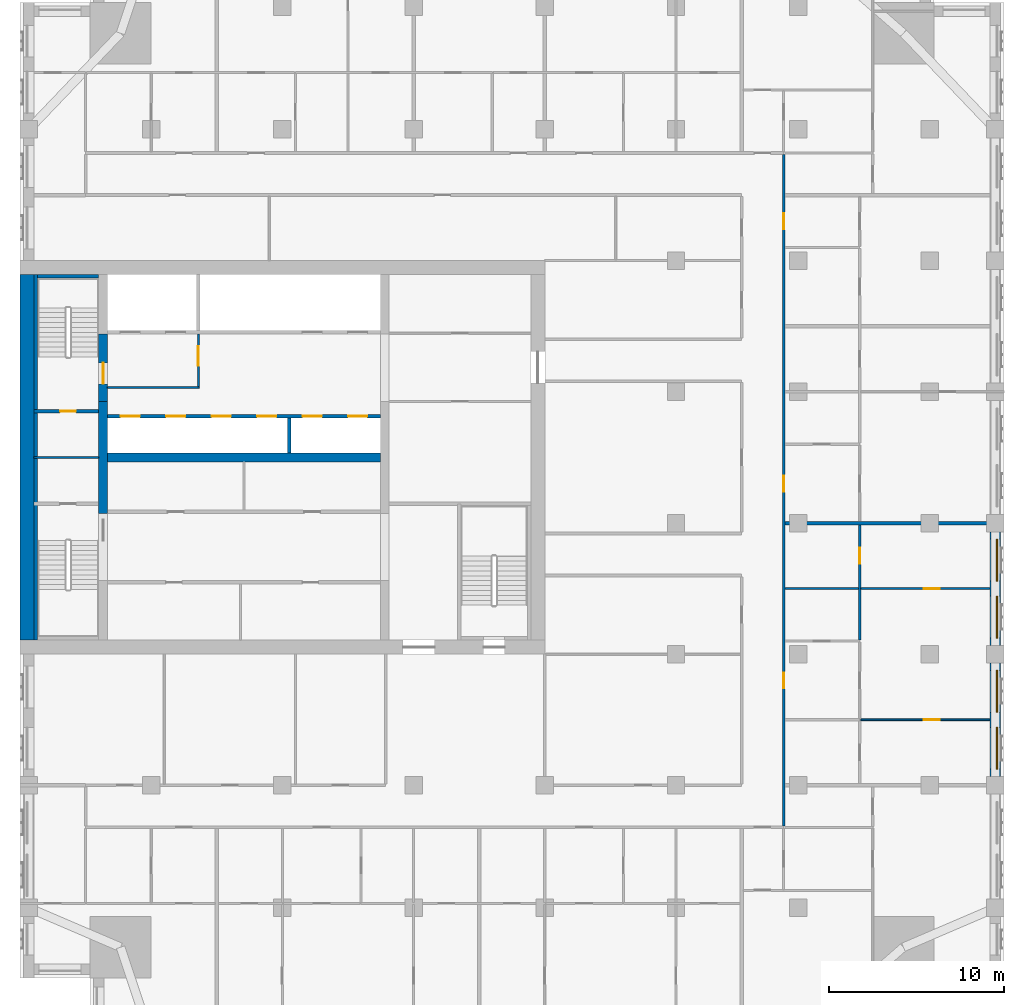
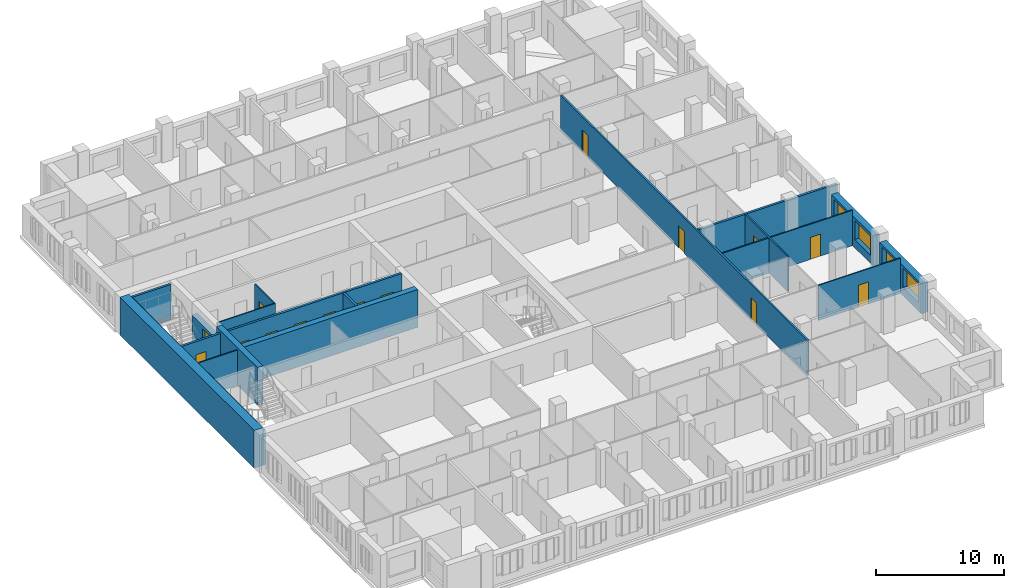
# One storey, part 7 of 13: 20 walls, 15 doors, 4 windows, 19 openings.
"""IFC4 building model written with IfcOpenShell, lengths in metres."""

from ifc_helpers import new_model, si_unit, direction, frame, frame_2d, origin, place, context, subcontext, project, spatial, rectangle, extrude, material, layer, layer_set, type_object, element, fill, save


model = new_model("IFC4")

# Units and contexts
model_context = context("Model", 3, precision=1e-05, world=origin(), true_north=direction((0.0, 1.0)))
body_context = subcontext(model_context, "Body", "Model", "MODEL_VIEW")
ifc_project = project(units=[si_unit("LENGTHUNIT", "METRE"), si_unit("AREAUNIT", "SQUARE_METRE"), si_unit("VOLUMEUNIT", "CUBIC_METRE"), si_unit("PLANEANGLEUNIT", "RADIAN"), si_unit("MASSUNIT", "GRAM", prefix="KILO")], contexts=[model_context])

# Site, building, storey
site_placement = place(None, origin())
site = spatial("IfcSite", under=ifc_project, at=site_placement, CompositionType="ELEMENT")
building_placement = place(site_placement, origin())
building = spatial("IfcBuilding", under=site, at=building_placement, Name="Tamorin Gate", CompositionType="ELEMENT")
storey_placement = place(building_placement, frame((0.0, 0.0, 159.0)))
storey = spatial("IfcBuildingStorey", under=building, at=storey_placement, Name="L39", CompositionType="ELEMENT", Elevation=159.0)

# Wall, openings, windows
ifc_material_1 = material(Name="Precast concrete C40/50", Category="concrete")
ifc_layer_1 = layer(ifc_material_1, 0.60009765625)
ifc_layer_set_1 = layer_set([ifc_layer_1], Name="Precast concrete C40/50")
wall_type_1 = type_object("IfcWallType", Name="Board-marked concrete facade panel 600", PredefinedType="SOLIDWALL", material=ifc_layer_set_1)
wall_1_placement = place(storey_placement, frame((85.75, 53.0, 0.0), z_axis=(0.0, 0.0, 1.0), x_axis=(0.0, 1.0, 0.0)))
wall_1 = element("IfcWall", 1, at=wall_1_placement, inside=storey, type_object=wall_type_1, Name="Facade panel", PredefinedType="SOLIDWALL", context=body_context, shape_type="SweptSolid", body=[
    extrude(rectangle(XDim=6.5, YDim=0.60009765625, at=frame_2d((3.25, 0.0))), origin(), (0.0, 0.0, 1.0), 2.85009765625),
])
opening_1_placement = place(wall_1_placement, frame((0.425048828125, 0.0, 0.800048828125)))
opening_1 = element("IfcOpeningElement", 2, at=opening_1_placement, cuts=wall_1, Name="Opening WN1", PredefinedType="OPENING", context=body_context, shape_type="SweptSolid", body=[
    extrude(rectangle(XDim=2.39990234375, YDim=1.800048828125, at=frame_2d((1.199951171875, 0.89990234375))), frame((0.0, 0.31005859375, 0.0), z_axis=(0.0, -1.0, 0.0), x_axis=(1.0, 0.0, 0.0)), (0.0, 0.0, 1.0), 0.6201171875),
])
opening_2_placement = place(wall_1_placement, frame((3.675048828125, 0.0, 0.800048828125)))
opening_2 = element("IfcOpeningElement", 3, at=opening_2_placement, cuts=wall_1, Name="Opening WN1", PredefinedType="OPENING", context=body_context, shape_type="SweptSolid", body=[
    extrude(rectangle(XDim=2.39990234375, YDim=1.800048828125, at=frame_2d((1.199951171875, 0.89990234375))), frame((0.0, 0.31005859375, 0.0), z_axis=(0.0, -1.0, 0.0), x_axis=(1.0, 0.0, 0.0)), (0.0, 0.0, 1.0), 0.6201171875),
])
ifc_material_2 = material(Name="Clear glass in aluminium frame", Category="aluminium")
window_type = type_object("IfcWindowType", Name="Deep-set window 2400x1800", PartitioningType="SINGLE_PANEL", PredefinedType="WINDOW", material=ifc_material_2)
window_1_placement = place(opening_1_placement, origin())
window_1 = element("IfcWindow", 4, at=window_1_placement, inside=storey, type_object=window_type, Name="Deep-set window", OverallHeight=1.800048828125, OverallWidth=2.39990234375, PartitioningType="SINGLE_PANEL", PredefinedType="WINDOW", context=body_context, shape_type="SweptSolid", body=[
    extrude(rectangle(XDim=2.39990234375, YDim=1.800048828125, at=frame_2d((1.199951171875, 0.89990234375))), frame((0.0, -0.070068359375, 0.0), z_axis=(0.0, -1.0, 0.0), x_axis=(1.0, 0.0, 0.0)), (0.0, 0.0, 1.0), 0.06005859375),
])
fill(opening_1, window_1)
window_2_placement = place(opening_2_placement, origin())
window_2 = element("IfcWindow", 5, at=window_2_placement, inside=storey, type_object=window_type, Name="Deep-set window", OverallHeight=1.800048828125, OverallWidth=2.39990234375, PartitioningType="SINGLE_PANEL", PredefinedType="WINDOW", context=body_context, shape_type="SweptSolid", body=[
    extrude(rectangle(XDim=2.39990234375, YDim=1.800048828125, at=frame_2d((1.199951171875, 0.89990234375))), frame((0.0, -0.070068359375, 0.0), z_axis=(0.0, -1.0, 0.0), x_axis=(1.0, 0.0, 0.0)), (0.0, 0.0, 1.0), 0.06005859375),
])
fill(opening_2, window_2)

wall_2_placement = place(storey_placement, frame((85.75, 60.5, 0.0), z_axis=(0.0, 0.0, 1.0), x_axis=(0.0, 1.0, 0.0)))
wall_2 = element("IfcWall", 6, at=wall_2_placement, inside=storey, type_object=wall_type_1, Name="Facade panel", PredefinedType="SOLIDWALL", context=body_context, shape_type="SweptSolid", body=[
    extrude(rectangle(XDim=6.5, YDim=0.60009765625, at=frame_2d((3.25, 0.0))), origin(), (0.0, 0.0, 1.0), 2.85009765625),
])
opening_3_placement = place(wall_2_placement, frame((0.425048828125, 0.0, 0.800048828125)))
opening_3 = element("IfcOpeningElement", 7, at=opening_3_placement, cuts=wall_2, Name="Opening WN1", PredefinedType="OPENING", context=body_context, shape_type="SweptSolid", body=[
    extrude(rectangle(XDim=2.39990234375, YDim=1.800048828125, at=frame_2d((1.199951171875, 0.89990234375))), frame((0.0, 0.31005859375, 0.0), z_axis=(0.0, -1.0, 0.0), x_axis=(1.0, 0.0, 0.0)), (0.0, 0.0, 1.0), 0.6201171875),
])
opening_4_placement = place(wall_2_placement, frame((3.675048828125, 0.0, 0.800048828125)))
opening_4 = element("IfcOpeningElement", 8, at=opening_4_placement, cuts=wall_2, Name="Opening WN1", PredefinedType="OPENING", context=body_context, shape_type="SweptSolid", body=[
    extrude(rectangle(XDim=2.39990234375, YDim=1.800048828125, at=frame_2d((1.199951171875, 0.89990234375))), frame((0.0, 0.31005859375, 0.0), z_axis=(0.0, -1.0, 0.0), x_axis=(1.0, 0.0, 0.0)), (0.0, 0.0, 1.0), 0.6201171875),
])
window_3_placement = place(opening_3_placement, origin())
window_3 = element("IfcWindow", 9, at=window_3_placement, inside=storey, type_object=window_type, Name="Deep-set window", OverallHeight=1.800048828125, OverallWidth=2.39990234375, PartitioningType="SINGLE_PANEL", PredefinedType="WINDOW", context=body_context, shape_type="SweptSolid", body=[
    extrude(rectangle(XDim=2.39990234375, YDim=1.800048828125, at=frame_2d((1.199951171875, 0.89990234375))), frame((0.0, -0.070068359375, 0.0), z_axis=(0.0, -1.0, 0.0), x_axis=(1.0, 0.0, 0.0)), (0.0, 0.0, 1.0), 0.06005859375),
])
fill(opening_3, window_3)
window_4_placement = place(opening_4_placement, origin())
window_4 = element("IfcWindow", 10, at=window_4_placement, inside=storey, type_object=window_type, Name="Deep-set window", OverallHeight=1.800048828125, OverallWidth=2.39990234375, PartitioningType="SINGLE_PANEL", PredefinedType="WINDOW", context=body_context, shape_type="SweptSolid", body=[
    extrude(rectangle(XDim=2.39990234375, YDim=1.800048828125, at=frame_2d((1.199951171875, 0.89990234375))), frame((0.0, -0.070068359375, 0.0), z_axis=(0.0, -1.0, 0.0), x_axis=(1.0, 0.0, 0.0)), (0.0, 0.0, 1.0), 0.06005859375),
])
fill(opening_4, window_4)

# Wall, openings, doors
ifc_material_3 = material(Name="Gypsum board partition")
ifc_layer_2 = layer(ifc_material_3, 0.14990234375)
ifc_layer_set_2 = layer_set([ifc_layer_2], Name="Corridor wall 150")
wall_type_2 = type_object("IfcWallType", Name="Corridor wall 150", PredefinedType="PARTITIONING", material=ifc_layer_set_2)
wall_3_placement = place(storey_placement, frame((73.64990234375, 50.175048828125, 0.0), z_axis=(0.0, 0.0, 1.0), x_axis=(0.0, 1.0, 0.0)))
wall_3 = element("IfcWall", 11, at=wall_3_placement, inside=storey, type_object=wall_type_2, Name="Corridor wall 150", PredefinedType="PARTITIONING", context=body_context, shape_type="SweptSolid", body=[
    extrude(rectangle(XDim=38.39990234375, YDim=0.14990234375, at=frame_2d((19.199951171875, 0.0))), origin(), (0.0, 0.0, 1.0), 3.35009765625),
])
opening_5_placement = place(wall_3_placement, frame((7.875, 0.0, 0.0)))
opening_5 = element("IfcOpeningElement", 12, at=opening_5_placement, cuts=wall_3, Name="Opening DS1037", PredefinedType="OPENING", context=body_context, shape_type="SweptSolid", body=[
    extrude(rectangle(XDim=0.89990234375, YDim=2.10009765625, at=frame_2d((0.449951171875, 1.050048828125))), frame((0.0, 0.0849609375, 0.0), z_axis=(0.0, -1.0, 0.0), x_axis=(1.0, 0.0, 0.0)), (0.0, 0.0, 1.0), 0.169921875),
])
opening_6_placement = place(wall_3_placement, frame((19.125, 0.0, 0.0)))
opening_6 = element("IfcOpeningElement", 13, at=opening_6_placement, cuts=wall_3, Name="Opening DS1043", PredefinedType="OPENING", context=body_context, shape_type="SweptSolid", body=[
    extrude(rectangle(XDim=0.89990234375, YDim=2.10009765625, at=frame_2d((0.449951171875, 1.050048828125))), frame((0.0, 0.0849609375, 0.0), z_axis=(0.0, -1.0, 0.0), x_axis=(1.0, 0.0, 0.0)), (0.0, 0.0, 1.0), 0.169921875),
])
opening_7_placement = place(wall_3_placement, frame((34.125, 0.0, 0.0)))
opening_7 = element("IfcOpeningElement", 14, at=opening_7_placement, cuts=wall_3, Name="Opening DS1049", PredefinedType="OPENING", context=body_context, shape_type="SweptSolid", body=[
    extrude(rectangle(XDim=0.89990234375, YDim=2.10009765625, at=frame_2d((0.449951171875, 1.050048828125))), frame((0.0, 0.0849609375, 0.0), z_axis=(0.0, -1.0, 0.0), x_axis=(1.0, 0.0, 0.0)), (0.0, 0.0, 1.0), 0.169921875),
])
ifc_material_4 = material(Name="Timber door leaf", Category="wood")
door_type_1 = type_object("IfcDoorType", Name="Door 900 x 2100 FD30S", OperationType="NOTDEFINED", PredefinedType="DOOR", material=ifc_material_4)
door_1_placement = place(opening_5_placement, origin())
door_1 = element("IfcDoor", 15, at=door_1_placement, inside=storey, type_object=door_type_1, Name="Door DS1037", OperationType="SINGLE_SWING_RIGHT", OverallHeight=2.10009765625, OverallWidth=0.89990234375, PredefinedType="DOOR", context=body_context, shape_type="SweptSolid", body=[
    extrude(rectangle(XDim=0.89990234375, YDim=2.10009765625, at=frame_2d((0.449951171875, 1.050048828125))), frame((0.0, 0.02490234375, 0.0), z_axis=(0.0, -1.0, 0.0), x_axis=(1.0, 0.0, 0.0)), (0.0, 0.0, 1.0), 0.050048828125),
])
fill(opening_5, door_1)
door_2_placement = place(opening_6_placement, origin())
door_2 = element("IfcDoor", 16, at=door_2_placement, inside=storey, type_object=door_type_1, Name="Door DS1043", OperationType="SINGLE_SWING_RIGHT", OverallHeight=2.10009765625, OverallWidth=0.89990234375, PredefinedType="DOOR", context=body_context, shape_type="SweptSolid", body=[
    extrude(rectangle(XDim=0.89990234375, YDim=2.10009765625, at=frame_2d((0.449951171875, 1.050048828125))), frame((0.0, 0.02490234375, 0.0), z_axis=(0.0, -1.0, 0.0), x_axis=(1.0, 0.0, 0.0)), (0.0, 0.0, 1.0), 0.050048828125),
])
fill(opening_6, door_2)
door_3_placement = place(opening_7_placement, origin())
door_3 = element("IfcDoor", 17, at=door_3_placement, inside=storey, type_object=door_type_1, Name="Door DS1049", OperationType="SINGLE_SWING_RIGHT", OverallHeight=2.10009765625, OverallWidth=0.89990234375, PredefinedType="DOOR", context=body_context, shape_type="SweptSolid", body=[
    extrude(rectangle(XDim=0.89990234375, YDim=2.10009765625, at=frame_2d((0.449951171875, 1.050048828125))), frame((0.0, 0.02490234375, 0.0), z_axis=(0.0, -1.0, 0.0), x_axis=(1.0, 0.0, 0.0)), (0.0, 0.0, 1.0), 0.050048828125),
])
fill(opening_7, door_3)

# Wall
ifc_layer_3 = layer(ifc_material_3, 0.199951171875)
ifc_layer_set_3 = layer_set([ifc_layer_3], Name="Demising wall 200")
wall_type_3 = type_object("IfcWallType", Name="Demising wall 200", PredefinedType="PARTITIONING", material=ifc_layer_set_3)
wall_4_placement = place(storey_placement, frame((73.72509765625, 67.5, 0.0), z_axis=(0.0, 0.0, 1.0), x_axis=(1.0, 0.0, 0.0)))
element("IfcWall", 18, at=wall_4_placement, inside=storey, type_object=wall_type_3, Name="Demising wall 200", PredefinedType="PARTITIONING", context=body_context, shape_type="SweptSolid", body=[
    extrude(rectangle(XDim=12.52490234375, YDim=0.199951171875, at=frame_2d((6.262451171875, 0.0))), origin(), (0.0, 0.0, 1.0), 3.35009765625),
])

# Wall, openings, doors
ifc_material_5 = material(Name="Concrete C32/40", Category="concrete")
ifc_layer_4 = layer(ifc_material_5, 0.199951171875)
ifc_layer_set_4 = layer_set([ifc_layer_4], Name="Lift lobby face wall 200 EI 120")
wall_type_4 = type_object("IfcWallType", Name="Lift lobby face wall 200 EI 120", PredefinedType="SOLIDWALL", material=ifc_layer_set_4)
wall_5_placement = place(storey_placement, frame((35.0, 73.60009765625, 0.0), z_axis=(0.0, 0.0, 1.0), x_axis=(1.0, 0.0, 0.0)))
wall_5 = element("IfcWall", 19, at=wall_5_placement, inside=storey, type_object=wall_type_4, Name="Lift lobby face wall", PredefinedType="SOLIDWALL", context=body_context, shape_type="SweptSolid", body=[
    extrude(rectangle(XDim=15.60009765625, YDim=0.199951171875, at=frame_2d((7.800048828125, 0.0))), origin(), (0.0, 0.0, 1.0), 3.60009765625),
])
opening_8_placement = place(wall_5_placement, frame((0.75, 0.0, 0.0)))
opening_8 = element("IfcOpeningElement", 20, at=opening_8_placement, cuts=wall_5, Name="Opening LD11", PredefinedType="OPENING", context=body_context, shape_type="SweptSolid", body=[
    extrude(rectangle(XDim=1.10009765625, YDim=2.10009765625, at=frame_2d((0.550048828125, 1.050048828125))), frame((0.0, 0.10986328125, 0.0), z_axis=(0.0, -1.0, 0.0), x_axis=(1.0, 0.0, 0.0)), (0.0, 0.0, 1.0), 0.219970703125),
])
opening_9_placement = place(wall_5_placement, frame((3.35009765625, 0.0, 0.0)))
opening_9 = element("IfcOpeningElement", 21, at=opening_9_placement, cuts=wall_5, Name="Opening LD12", PredefinedType="OPENING", context=body_context, shape_type="SweptSolid", body=[
    extrude(rectangle(XDim=1.10009765625, YDim=2.10009765625, at=frame_2d((0.550048828125, 1.050048828125))), frame((0.0, 0.10986328125, 0.0), z_axis=(0.0, -1.0, 0.0), x_axis=(1.0, 0.0, 0.0)), (0.0, 0.0, 1.0), 0.219970703125),
])
opening_10_placement = place(wall_5_placement, frame((5.949951171875, 0.0, 0.0)))
opening_10 = element("IfcOpeningElement", 22, at=opening_10_placement, cuts=wall_5, Name="Opening LD13", PredefinedType="OPENING", context=body_context, shape_type="SweptSolid", body=[
    extrude(rectangle(XDim=1.10009765625, YDim=2.10009765625, at=frame_2d((0.550048828125, 1.050048828125))), frame((0.0, 0.10986328125, 0.0), z_axis=(0.0, -1.0, 0.0), x_axis=(1.0, 0.0, 0.0)), (0.0, 0.0, 1.0), 0.219970703125),
])
opening_11_placement = place(wall_5_placement, frame((8.550048828125, 0.0, 0.0)))
opening_11 = element("IfcOpeningElement", 23, at=opening_11_placement, cuts=wall_5, Name="Opening LD14", PredefinedType="OPENING", context=body_context, shape_type="SweptSolid", body=[
    extrude(rectangle(XDim=1.10009765625, YDim=2.10009765625, at=frame_2d((0.550048828125, 1.050048828125))), frame((0.0, 0.10986328125, 0.0), z_axis=(0.0, -1.0, 0.0), x_axis=(1.0, 0.0, 0.0)), (0.0, 0.0, 1.0), 0.219970703125),
])
opening_12_placement = place(wall_5_placement, frame((11.14990234375, 0.0, 0.0)))
opening_12 = element("IfcOpeningElement", 24, at=opening_12_placement, cuts=wall_5, Name="Opening LD15", PredefinedType="OPENING", context=body_context, shape_type="SweptSolid", body=[
    extrude(rectangle(XDim=1.10009765625, YDim=2.10009765625, at=frame_2d((0.550048828125, 1.050048828125))), frame((0.0, 0.10986328125, 0.0), z_axis=(0.0, -1.0, 0.0), x_axis=(1.0, 0.0, 0.0)), (0.0, 0.0, 1.0), 0.219970703125),
])
opening_13_placement = place(wall_5_placement, frame((13.75, 0.0, 0.0)))
opening_13 = element("IfcOpeningElement", 25, at=opening_13_placement, cuts=wall_5, Name="Opening LD16", PredefinedType="OPENING", context=body_context, shape_type="SweptSolid", body=[
    extrude(rectangle(XDim=1.10009765625, YDim=2.10009765625, at=frame_2d((0.550048828125, 1.050048828125))), frame((0.0, 0.10986328125, 0.0), z_axis=(0.0, -1.0, 0.0), x_axis=(1.0, 0.0, 0.0)), (0.0, 0.0, 1.0), 0.219970703125),
])
ifc_material_6 = material(Name="Stainless steel sliding door", Category="steel")
door_type_2 = type_object("IfcDoorType", Name="Lift landing door 1100 x 2100 E 90", OperationType="DOUBLE_DOOR_SLIDING", PredefinedType="DOOR", material=ifc_material_6)
door_4_placement = place(opening_8_placement, origin())
door_4 = element("IfcDoor", 26, at=door_4_placement, inside=storey, type_object=door_type_2, Name="HR1 landing door", OperationType="DOUBLE_DOOR_SLIDING", OverallHeight=2.10009765625, OverallWidth=1.10009765625, PredefinedType="DOOR", context=body_context, shape_type="SweptSolid", body=[
    extrude(rectangle(XDim=1.10009765625, YDim=2.10009765625, at=frame_2d((0.550048828125, 1.050048828125))), frame((0.0, 0.02490234375, 0.0), z_axis=(0.0, -1.0, 0.0), x_axis=(1.0, 0.0, 0.0)), (0.0, 0.0, 1.0), 0.050048828125),
])
fill(opening_8, door_4)
door_5_placement = place(opening_9_placement, origin())
door_5 = element("IfcDoor", 27, at=door_5_placement, inside=storey, type_object=door_type_2, Name="HR2 landing door", OperationType="DOUBLE_DOOR_SLIDING", OverallHeight=2.10009765625, OverallWidth=1.10009765625, PredefinedType="DOOR", context=body_context, shape_type="SweptSolid", body=[
    extrude(rectangle(XDim=1.10009765625, YDim=2.10009765625, at=frame_2d((0.550048828125, 1.050048828125))), frame((0.0, 0.02490234375, 0.0), z_axis=(0.0, -1.0, 0.0), x_axis=(1.0, 0.0, 0.0)), (0.0, 0.0, 1.0), 0.050048828125),
])
fill(opening_9, door_5)
door_6_placement = place(opening_10_placement, origin())
door_6 = element("IfcDoor", 28, at=door_6_placement, inside=storey, type_object=door_type_2, Name="HR3 landing door", OperationType="DOUBLE_DOOR_SLIDING", OverallHeight=2.10009765625, OverallWidth=1.10009765625, PredefinedType="DOOR", context=body_context, shape_type="SweptSolid", body=[
    extrude(rectangle(XDim=1.10009765625, YDim=2.10009765625, at=frame_2d((0.550048828125, 1.050048828125))), frame((0.0, 0.02490234375, 0.0), z_axis=(0.0, -1.0, 0.0), x_axis=(1.0, 0.0, 0.0)), (0.0, 0.0, 1.0), 0.050048828125),
])
fill(opening_10, door_6)
door_7_placement = place(opening_11_placement, origin())
door_7 = element("IfcDoor", 29, at=door_7_placement, inside=storey, type_object=door_type_2, Name="HR4 landing door", OperationType="DOUBLE_DOOR_SLIDING", OverallHeight=2.10009765625, OverallWidth=1.10009765625, PredefinedType="DOOR", context=body_context, shape_type="SweptSolid", body=[
    extrude(rectangle(XDim=1.10009765625, YDim=2.10009765625, at=frame_2d((0.550048828125, 1.050048828125))), frame((0.0, 0.02490234375, 0.0), z_axis=(0.0, -1.0, 0.0), x_axis=(1.0, 0.0, 0.0)), (0.0, 0.0, 1.0), 0.050048828125),
])
fill(opening_11, door_7)
door_8_placement = place(opening_12_placement, origin())
door_8 = element("IfcDoor", 30, at=door_8_placement, inside=storey, type_object=door_type_2, Name="HR5 landing door", OperationType="DOUBLE_DOOR_SLIDING", OverallHeight=2.10009765625, OverallWidth=1.10009765625, PredefinedType="DOOR", context=body_context, shape_type="SweptSolid", body=[
    extrude(rectangle(XDim=1.10009765625, YDim=2.10009765625, at=frame_2d((0.550048828125, 1.050048828125))), frame((0.0, 0.02490234375, 0.0), z_axis=(0.0, -1.0, 0.0), x_axis=(1.0, 0.0, 0.0)), (0.0, 0.0, 1.0), 0.050048828125),
])
fill(opening_12, door_8)
door_9_placement = place(opening_13_placement, origin())
door_9 = element("IfcDoor", 31, at=door_9_placement, inside=storey, type_object=door_type_2, Name="HR6 landing door", OperationType="DOUBLE_DOOR_SLIDING", OverallHeight=2.10009765625, OverallWidth=1.10009765625, PredefinedType="DOOR", context=body_context, shape_type="SweptSolid", body=[
    extrude(rectangle(XDim=1.10009765625, YDim=2.10009765625, at=frame_2d((0.550048828125, 1.050048828125))), frame((0.0, 0.02490234375, 0.0), z_axis=(0.0, -1.0, 0.0), x_axis=(1.0, 0.0, 0.0)), (0.0, 0.0, 1.0), 0.050048828125),
])
fill(opening_13, door_9)

# Walls
ifc_layer_5 = layer(ifc_material_5, 0.199951171875)
ifc_layer_set_5 = layer_set([ifc_layer_5], Name="Lift shaft wall 200 EI 120")
wall_type_5 = type_object("IfcWallType", Name="Lift shaft wall 200 EI 120", PredefinedType="SOLIDWALL", material=ifc_layer_set_5)
wall_6_placement = place(storey_placement, frame((45.39990234375, 71.5, 0.0), z_axis=(0.0, 0.0, 1.0), x_axis=(0.0, 1.0, 0.0)))
element("IfcWall", 32, at=wall_6_placement, inside=storey, type_object=wall_type_5, Name="Lift shaft wall", PredefinedType="SOLIDWALL", context=body_context, shape_type="SweptSolid", body=[
    extrude(rectangle(XDim=2.0, YDim=0.199951171875, at=frame_2d((1.0, 0.0))), origin(), (0.0, 0.0, 1.0), 3.60009765625),
])
ifc_material_7 = material(Name="Fire-rated gypsum board partition")
ifc_layer_6 = layer(ifc_material_7, 0.10009765625)
ifc_layer_set_6 = layer_set([ifc_layer_6], Name="Lobby wall 100 EI 60")
wall_type_6 = type_object("IfcWallType", Name="Lobby wall 100 EI 60", PredefinedType="PARTITIONING", material=ifc_layer_set_6)
wall_7_placement = place(storey_placement, frame((35.0, 75.25, 0.0), z_axis=(0.0, 0.0, 1.0), x_axis=(1.0, 0.0, 0.0)))
element("IfcWall", 33, at=wall_7_placement, inside=storey, type_object=wall_type_6, Name="Firefighting lobby wall", PredefinedType="PARTITIONING", context=body_context, shape_type="SweptSolid", body=[
    extrude(rectangle(XDim=5.25, YDim=0.10009765625, at=frame_2d((2.625, 0.0))), origin(), (0.0, 0.0, 1.0), 3.35009765625),
])

# Wall, opening, door
wall_8_placement = place(storey_placement, frame((40.199951171875, 75.300048828125, 0.0), z_axis=(0.0, 0.0, 1.0), x_axis=(0.0, 1.0, 0.0)))
wall_8 = element("IfcWall", 34, at=wall_8_placement, inside=storey, type_object=wall_type_6, Name="Firefighting lobby wall", PredefinedType="PARTITIONING", context=body_context, shape_type="SweptSolid", body=[
    extrude(rectangle(XDim=3.0, YDim=0.10009765625, at=frame_2d((1.5, 0.0))), origin(), (0.0, 0.0, 1.0), 3.35009765625),
])
opening_14_placement = place(wall_8_placement, frame((1.199951171875, 0.0, 0.0)))
opening_14 = element("IfcOpeningElement", 35, at=opening_14_placement, cuts=wall_8, Name="Opening DF1", PredefinedType="OPENING", context=body_context, shape_type="SweptSolid", body=[
    extrude(rectangle(XDim=1.10009765625, YDim=2.10009765625, at=frame_2d((0.550048828125, 1.050048828125))), frame((0.0, 0.06005859375, 0.0), z_axis=(0.0, -1.0, 0.0), x_axis=(1.0, 0.0, 0.0)), (0.0, 0.0, 1.0), 0.1201171875),
])
ifc_material_8 = material(Name="Steel fire door", Category="steel")
door_type_3 = type_object("IfcDoorType", Name="Firefighting lobby door 1100 x 2100 EI 90", OperationType="SINGLE_SWING_LEFT", PredefinedType="DOOR", material=ifc_material_8)
door_10_placement = place(opening_14_placement, origin())
door_10 = element("IfcDoor", 36, at=door_10_placement, inside=storey, type_object=door_type_3, Name="Firefighting lobby door", OperationType="SINGLE_SWING_LEFT", OverallHeight=2.10009765625, OverallWidth=1.10009765625, PredefinedType="DOOR", context=body_context, shape_type="SweptSolid", body=[
    extrude(rectangle(XDim=1.10009765625, YDim=2.10009765625, at=frame_2d((0.550048828125, 1.050048828125))), frame((0.0, 0.02490234375, 0.0), z_axis=(0.0, -1.0, 0.0), x_axis=(1.0, 0.0, 0.0)), (0.0, 0.0, 1.0), 0.050048828125),
])
fill(opening_14, door_10)

# Walls
ifc_material_9 = material(Name="Concrete C60/75", Category="concrete")
ifc_layer_7 = layer(ifc_material_9, 0.5)
ifc_layer_set_7 = layer_set([ifc_layer_7], Name="RC core internal wall 500 C60/75")
wall_type_7 = type_object("IfcWallType", Name="RC core internal wall 500 C60/75", PredefinedType="SHEAR", material=ifc_layer_set_7)
wall_9_placement = place(storey_placement, frame((35.0, 71.25, 0.0), z_axis=(0.0, 0.0, 1.0), x_axis=(1.0, 0.0, 0.0)))
element("IfcWall", 37, at=wall_9_placement, inside=storey, type_object=wall_type_7, Name="Core spine wall L39", PredefinedType="SHEAR", context=body_context, shape_type="SweptSolid", body=[
    extrude(rectangle(XDim=15.60009765625, YDim=0.5, at=frame_2d((7.800048828125, 0.0))), origin(), (0.0, 0.0, 1.0), 3.60009765625),
])
wall_10_placement = place(storey_placement, frame((34.75, 68.050048828125, 0.0), z_axis=(0.0, 0.0, 1.0), x_axis=(0.0, 1.0, 0.0)))
element("IfcWall", 38, at=wall_10_placement, inside=storey, type_object=wall_type_7, Name="Core cross wall L39", PredefinedType="SHEAR", context=body_context, shape_type="SweptSolid", body=[
    extrude(rectangle(XDim=6.39990234375, YDim=0.5, at=frame_2d((3.199951171875, 0.0))), origin(), (0.0, 0.0, 1.0), 3.60009765625),
])
ifc_layer_8 = layer(ifc_material_9, 0.800048828125)
ifc_layer_set_8 = layer_set([ifc_layer_8], Name="RC core wall 800 C60/75")
wall_type_8 = type_object("IfcWallType", Name="RC core wall 800 C60/75", PredefinedType="SHEAR", material=ifc_layer_set_8)
wall_11_placement = place(storey_placement, frame((30.39990234375, 60.800048828125, 0.0), z_axis=(0.0, 0.0, 1.0), x_axis=(0.0, 1.0, 0.0)))
element("IfcWall", 39, at=wall_11_placement, inside=storey, type_object=wall_type_8, Name="Core wall L39", PredefinedType="SHEAR", context=body_context, shape_type="SweptSolid", body=[
    extrude(rectangle(XDim=20.89990234375, YDim=0.800048828125, at=frame_2d((10.449951171875, 0.0))), origin(), (0.0, 0.0, 1.0), 3.60009765625),
])
ifc_layer_9 = layer(ifc_material_7, 0.10009765625)
ifc_layer_set_9 = layer_set([ifc_layer_9], Name="Riser partition 100 EI 120")
wall_type_9 = type_object("IfcWallType", Name="Riser partition 100 EI 120", PredefinedType="PARTITIONING", material=ifc_layer_set_9)
wall_12_placement = place(storey_placement, frame((30.800048828125, 71.25, 0.0), z_axis=(0.0, 0.0, 1.0), x_axis=(1.0, 0.0, 0.0)))
element("IfcWall", 40, at=wall_12_placement, inside=storey, type_object=wall_type_9, Name="Riser partition", PredefinedType="PARTITIONING", context=body_context, shape_type="SweptSolid", body=[
    extrude(rectangle(XDim=3.699951171875, YDim=0.10009765625, at=frame_2d((1.85009765625, 0.0))), origin(), (0.0, 0.0, 1.0), 3.35009765625),
])

# Wall, opening, door
ifc_layer_10 = layer(ifc_material_3, 0.10009765625)
ifc_layer_set_10 = layer_set([ifc_layer_10], Name="Room partition 100")
wall_type_10 = type_object("IfcWallType", Name="Room partition 100", PredefinedType="PARTITIONING", material=ifc_layer_set_10)
wall_13_placement = place(storey_placement, frame((78.0625, 56.25, 0.0), z_axis=(0.0, 0.0, 1.0), x_axis=(1.0, 0.0, 0.0)))
wall_13 = element("IfcWall", 41, at=wall_13_placement, inside=storey, type_object=wall_type_10, Name="Room partition 100", PredefinedType="PARTITIONING", context=body_context, shape_type="SweptSolid", body=[
    extrude(rectangle(XDim=7.37744140625, YDim=0.10009765625, at=frame_2d((3.688720703125, 0.0))), origin(), (0.0, 0.0, 1.0), 3.35009765625),
])
opening_15_placement = place(wall_13_placement, frame((3.612548828125, 0.0, 0.0)))
opening_15 = element("IfcOpeningElement", 42, at=opening_15_placement, cuts=wall_13, Name="Opening DS1041", PredefinedType="OPENING", context=body_context, shape_type="SweptSolid", body=[
    extrude(rectangle(XDim=0.89990234375, YDim=2.10009765625, at=frame_2d((0.449951171875, 1.050048828125))), frame((0.0, 0.06005859375, 0.0), z_axis=(0.0, -1.0, 0.0), x_axis=(1.0, 0.0, 0.0)), (0.0, 0.0, 1.0), 0.1201171875),
])
door_type_4 = type_object("IfcDoorType", Name="Door 900 x 2100", OperationType="NOTDEFINED", PredefinedType="DOOR", material=ifc_material_4)
door_11_placement = place(opening_15_placement, origin())
door_11 = element("IfcDoor", 43, at=door_11_placement, inside=storey, type_object=door_type_4, Name="Door DS1041", OperationType="SINGLE_SWING_RIGHT", OverallHeight=2.10009765625, OverallWidth=0.89990234375, PredefinedType="DOOR", context=body_context, shape_type="SweptSolid", body=[
    extrude(rectangle(XDim=0.89990234375, YDim=2.10009765625, at=frame_2d((0.449951171875, 1.050048828125))), frame((0.0, 0.02490234375, 0.0), z_axis=(0.0, -1.0, 0.0), x_axis=(1.0, 0.0, 0.0)), (0.0, 0.0, 1.0), 0.050048828125),
])
fill(opening_15, door_11)

wall_14_placement = place(storey_placement, frame((78.0625, 63.75, 0.0), z_axis=(0.0, 0.0, 1.0), x_axis=(1.0, 0.0, 0.0)))
wall_14 = element("IfcWall", 44, at=wall_14_placement, inside=storey, type_object=wall_type_10, Name="Room partition 100", PredefinedType="PARTITIONING", context=body_context, shape_type="SweptSolid", body=[
    extrude(rectangle(XDim=7.37744140625, YDim=0.10009765625, at=frame_2d((3.688720703125, 0.0))), origin(), (0.0, 0.0, 1.0), 3.35009765625),
])
opening_16_placement = place(wall_14_placement, frame((3.612548828125, 0.0, 0.0)))
opening_16 = element("IfcOpeningElement", 45, at=opening_16_placement, cuts=wall_14, Name="Opening DS1042", PredefinedType="OPENING", context=body_context, shape_type="SweptSolid", body=[
    extrude(rectangle(XDim=0.89990234375, YDim=2.10009765625, at=frame_2d((0.449951171875, 1.050048828125))), frame((0.0, 0.06005859375, 0.0), z_axis=(0.0, -1.0, 0.0), x_axis=(1.0, 0.0, 0.0)), (0.0, 0.0, 1.0), 0.1201171875),
])
door_12_placement = place(opening_16_placement, origin())
door_12 = element("IfcDoor", 46, at=door_12_placement, inside=storey, type_object=door_type_4, Name="Door DS1042", OperationType="SINGLE_SWING_RIGHT", OverallHeight=2.10009765625, OverallWidth=0.89990234375, PredefinedType="DOOR", context=body_context, shape_type="SweptSolid", body=[
    extrude(rectangle(XDim=0.89990234375, YDim=2.10009765625, at=frame_2d((0.449951171875, 1.050048828125))), frame((0.0, 0.02490234375, 0.0), z_axis=(0.0, -1.0, 0.0), x_axis=(1.0, 0.0, 0.0)), (0.0, 0.0, 1.0), 0.050048828125),
])
fill(opening_16, door_12)

ifc_material_10 = material(Name="Concrete C40/50", Category="concrete")
ifc_layer_11 = layer(ifc_material_10, 0.199951171875)
ifc_layer_set_11 = layer_set([ifc_layer_11], Name="Stair enclosure wall 200 EI 120 C40/50")
wall_type_11 = type_object("IfcWallType", Name="Stair enclosure wall 200 EI 120 C40/50", PredefinedType="SOLIDWALL", material=ifc_layer_set_11)
wall_15_placement = place(storey_placement, frame((30.800048828125, 73.89990234375, 0.0), z_axis=(0.0, 0.0, 1.0), x_axis=(1.0, 0.0, 0.0)))
wall_15 = element("IfcWall", 47, at=wall_15_placement, inside=storey, type_object=wall_type_11, Name="Stair enclosure wall", PredefinedType="SOLIDWALL", context=body_context, shape_type="SweptSolid", body=[
    extrude(rectangle(XDim=3.699951171875, YDim=0.199951171875, at=frame_2d((1.85009765625, 0.0))), origin(), (0.0, 0.0, 1.0), 3.35009765625),
])
opening_17_placement = place(wall_15_placement, frame((1.5, 0.0, 0.0)))
opening_17 = element("IfcOpeningElement", 48, at=opening_17_placement, cuts=wall_15, Name="Opening DR1", PredefinedType="OPENING", context=body_context, shape_type="SweptSolid", body=[
    extrude(rectangle(XDim=0.89990234375, YDim=2.10009765625, at=frame_2d((0.449951171875, 1.050048828125))), frame((0.0, 0.10986328125, 0.0), z_axis=(0.0, -1.0, 0.0), x_axis=(1.0, 0.0, 0.0)), (0.0, 0.0, 1.0), 0.219970703125),
])
door_type_5 = type_object("IfcDoorType", Name="Riser access door 900 x 2100 EI 120", OperationType="SINGLE_SWING_LEFT", PredefinedType="DOOR", material=ifc_material_8)
door_13_placement = place(opening_17_placement, origin())
door_13 = element("IfcDoor", 49, at=door_13_placement, inside=storey, type_object=door_type_5, Name="Communications riser door", OperationType="SINGLE_SWING_RIGHT", OverallHeight=2.10009765625, OverallWidth=0.89990234375, PredefinedType="DOOR", context=body_context, shape_type="SweptSolid", body=[
    extrude(rectangle(XDim=0.89990234375, YDim=2.10009765625, at=frame_2d((0.449951171875, 1.050048828125))), frame((0.0, 0.02490234375, 0.0), z_axis=(0.0, -1.0, 0.0), x_axis=(1.0, 0.0, 0.0)), (0.0, 0.0, 1.0), 0.050048828125),
])
fill(opening_17, door_13)

# Walls
ifc_layer_12 = layer(ifc_material_9, 0.199951171875)
ifc_layer_set_12 = layer_set([ifc_layer_12], Name="Stair lining wall 200 EI 120 C60/75")
wall_type_12 = type_object("IfcWallType", Name="Stair lining wall 200 EI 120 C60/75", PredefinedType="SOLIDWALL", material=ifc_layer_set_12)
wall_16_placement = place(storey_placement, frame((30.89990234375, 60.800048828125, 0.0), z_axis=(0.0, 0.0, 1.0), x_axis=(0.0, 1.0, 0.0)))
element("IfcWall", 50, at=wall_16_placement, inside=storey, type_object=wall_type_12, Name="Stair lining wall", PredefinedType="SOLIDWALL", context=body_context, shape_type="SweptSolid", body=[
    extrude(rectangle(XDim=20.89990234375, YDim=0.199951171875, at=frame_2d((10.449951171875, 0.0))), origin(), (0.0, 0.0, 1.0), 3.35009765625),
])
wall_17_placement = place(storey_placement, frame((31.0, 81.60009765625, 0.0), z_axis=(0.0, 0.0, 1.0), x_axis=(1.0, 0.0, 0.0)))
element("IfcWall", 51, at=wall_17_placement, inside=storey, type_object=wall_type_12, Name="Stair lining wall", PredefinedType="SOLIDWALL", context=body_context, shape_type="SweptSolid", body=[
    extrude(rectangle(XDim=3.5, YDim=0.199951171875, at=frame_2d((1.75, 0.0))), origin(), (0.0, 0.0, 1.0), 3.35009765625),
])

# Wall, opening, door
ifc_layer_13 = layer(ifc_material_5, 0.5)
ifc_layer_set_13 = layer_set([ifc_layer_13], Name="Stair lobby infill wall 500 EI 120")
wall_type_13 = type_object("IfcWallType", Name="Stair lobby infill wall 500 EI 120", PredefinedType="SOLIDWALL", material=ifc_layer_set_13)
wall_18_placement = place(storey_placement, frame((34.75, 74.449951171875, 0.0), z_axis=(0.0, 0.0, 1.0), x_axis=(0.0, 1.0, 0.0)))
wall_18 = element("IfcWall", 52, at=wall_18_placement, inside=storey, type_object=wall_type_13, Name="Stair lobby infill wall", PredefinedType="SOLIDWALL", context=body_context, shape_type="SweptSolid", body=[
    extrude(rectangle(XDim=3.85009765625, YDim=0.5, at=frame_2d((1.925048828125, 0.0))), origin(), (0.0, 0.0, 1.0), 2.39990234375),
])
opening_18_placement = place(wall_18_placement, frame((1.0, 0.0, 0.0)))
opening_18 = element("IfcOpeningElement", 53, at=opening_18_placement, cuts=wall_18, Name="Opening DS1", PredefinedType="OPENING", context=body_context, shape_type="SweptSolid", body=[
    extrude(rectangle(XDim=1.199951171875, YDim=2.10009765625, at=frame_2d((0.60009765625, 1.050048828125))), frame((0.0, 0.260009765625, 0.0), z_axis=(0.0, -1.0, 0.0), x_axis=(1.0, 0.0, 0.0)), (0.0, 0.0, 1.0), 0.52001953125),
])
door_type_6 = type_object("IfcDoorType", Name="Stair door 1200 x 2100 EI 90", OperationType="SINGLE_SWING_LEFT", PredefinedType="DOOR", material=ifc_material_8)
door_14_placement = place(opening_18_placement, origin())
door_14 = element("IfcDoor", 54, at=door_14_placement, inside=storey, type_object=door_type_6, Name="ST2 door", OperationType="SINGLE_SWING_RIGHT", OverallHeight=2.10009765625, OverallWidth=1.199951171875, PredefinedType="DOOR", context=body_context, shape_type="SweptSolid", body=[
    extrude(rectangle(XDim=1.199951171875, YDim=2.10009765625, at=frame_2d((0.60009765625, 1.050048828125))), frame((0.0, 0.02490234375, 0.0), z_axis=(0.0, -1.0, 0.0), x_axis=(1.0, 0.0, 0.0)), (0.0, 0.0, 1.0), 0.050048828125),
])
fill(opening_18, door_14)

# Wall
ifc_layer_14 = layer(ifc_material_3, 0.125)
ifc_layer_set_14 = layer_set([ifc_layer_14], Name="Wet wall 125")
wall_type_14 = type_object("IfcWallType", Name="Wet wall 125", PredefinedType="PARTITIONING", material=ifc_layer_set_14)
wall_19_placement = place(storey_placement, frame((73.72509765625, 63.75, 0.0), z_axis=(0.0, 0.0, 1.0), x_axis=(1.0, 0.0, 0.0)))
element("IfcWall", 55, at=wall_19_placement, inside=storey, type_object=wall_type_14, Name="Wet wall 125", PredefinedType="PARTITIONING", context=body_context, shape_type="SweptSolid", body=[
    extrude(rectangle(XDim=4.21240234375, YDim=0.125, at=frame_2d((2.106201171875, 0.0))), origin(), (0.0, 0.0, 1.0), 3.35009765625),
])

# Wall, opening, door
wall_20_placement = place(storey_placement, frame((78.0, 60.8125, 0.0), z_axis=(0.0, 0.0, 1.0), x_axis=(0.0, 1.0, 0.0)))
wall_20 = element("IfcWall", 56, at=wall_20_placement, inside=storey, type_object=wall_type_14, Name="Wet wall 125", PredefinedType="PARTITIONING", context=body_context, shape_type="SweptSolid", body=[
    extrude(rectangle(XDim=6.58740234375, YDim=0.125, at=frame_2d((3.293701171875, 0.0))), origin(), (0.0, 0.0, 1.0), 3.35009765625),
])
opening_19_placement = place(wall_20_placement, frame((4.362548828125, 0.0, 0.0)))
opening_19 = element("IfcOpeningElement", 57, at=opening_19_placement, cuts=wall_20, Name="Opening DS1040", PredefinedType="OPENING", context=body_context, shape_type="SweptSolid", body=[
    extrude(rectangle(XDim=0.89990234375, YDim=2.10009765625, at=frame_2d((0.449951171875, 1.050048828125))), frame((0.0, 0.072509765625, 0.0), z_axis=(0.0, -1.0, 0.0), x_axis=(1.0, 0.0, 0.0)), (0.0, 0.0, 1.0), 0.14501953125),
])
door_15_placement = place(opening_19_placement, origin())
door_15 = element("IfcDoor", 58, at=door_15_placement, inside=storey, type_object=door_type_4, Name="Door DS1040", OperationType="SINGLE_SWING_LEFT", OverallHeight=2.10009765625, OverallWidth=0.89990234375, PredefinedType="DOOR", context=body_context, shape_type="SweptSolid", body=[
    extrude(rectangle(XDim=0.89990234375, YDim=2.10009765625, at=frame_2d((0.449951171875, 1.050048828125))), frame((0.0, 0.02490234375, 0.0), z_axis=(0.0, -1.0, 0.0), x_axis=(1.0, 0.0, 0.0)), (0.0, 0.0, 1.0), 0.050048828125),
])
fill(opening_19, door_15)

save(model, "model.ifc")
